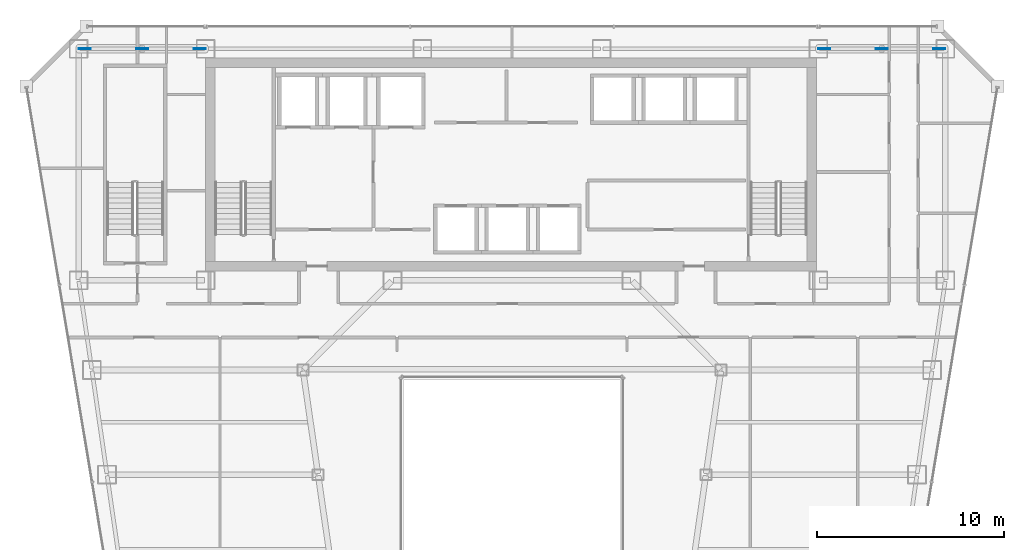
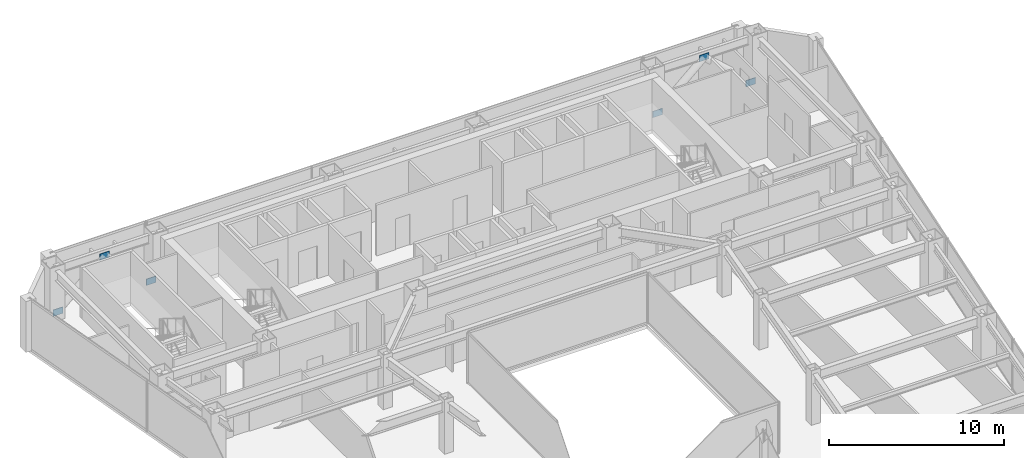
# One storey, part 30 of 36: 6 plates.
"""IFC4 building model written with IfcOpenShell, lengths in metres."""

from ifc_helpers import new_model, si_unit, direction, frame, origin, origin_2d, place, context, subcontext, project, spatial, rectangle, extrude, material, layer, layer_set, type_object, element, save


model = new_model("IFC4")

# Units and contexts
model_context = context("Model", 3, precision=1e-05, world=origin(), true_north=direction((0.0, 1.0)))
body_context = subcontext(model_context, "Body", "Model", "MODEL_VIEW")
ifc_project = project(units=[si_unit("LENGTHUNIT", "METRE"), si_unit("AREAUNIT", "SQUARE_METRE"), si_unit("VOLUMEUNIT", "CUBIC_METRE"), si_unit("PLANEANGLEUNIT", "RADIAN"), si_unit("MASSUNIT", "GRAM", prefix="KILO")], contexts=[model_context])

# Site, building, storey
site_placement = place(None, origin())
site = spatial("IfcSite", under=ifc_project, at=site_placement, CompositionType="ELEMENT")
building_placement = place(site_placement, origin())
building = spatial("IfcBuilding", under=site, at=building_placement, Name="Saevonmaru Cultural Tower", CompositionType="ELEMENT")
storey_placement = place(building_placement, frame((0.0, 0.0, 152.39990234375)))
storey = spatial("IfcBuildingStorey", under=building, at=storey_placement, Name="L33", CompositionType="ELEMENT", Elevation=152.39990234375)

# Plates
ifc_material = material(Name="Steel HSA600 (600 MPa)", Category="steel")
ifc_layer = layer(ifc_material, 0.0400390625, Name="Steel HSA600 (600 MPa)")
ifc_layer_set = layer_set([ifc_layer], Name="Steel HSA600 (600 MPa)")
plate_type = type_object("IfcPlateType", Name="PL-GUSSET-EXT", PredefinedType="USERDEFINED", material=ifc_layer_set)
for number, where, z_axis, x_axis, name in (
    (1, (10.199951171875, 54.800048828125, 2.85009765625), (0.0, 0.0, 1.0), (1.0, 0.0, 0.0), "L33 Perimeter Tube Gusset Plate"),
    (2, (7.1201171875, 54.800048828125, 0.02001953125), (0.0, 0.0, 1.0), (1.0, 0.0, 0.0), "L33 Perimeter Tube Gusset Plate"),
    (3, (13.280029296875, 54.800048828125, 0.02001953125), (0.0, 0.0, 1.0), (1.0, 0.0, 0.0), "L33 Perimeter Tube Gusset Plate"),
    (4, (49.800048828125, 54.800048828125, 2.85009765625), (0.0, 0.0, 1.0), (1.0, 0.0, 0.0), "L33 Perimeter Tube Gusset Plate"),
    (5, (46.719970703125, 54.800048828125, 0.02001953125), (0.0, 0.0, 1.0), (1.0, 0.0, 0.0), "L33 Perimeter Tube Gusset Plate"),
    (6, (52.8798828125, 54.800048828125, 0.02001953125), (0.0, 0.0, 1.0), (1.0, 0.0, 0.0), "L33 Perimeter Tube Gusset Plate"),
):
    element("IfcPlate", number, at=place(storey_placement, frame(where, z_axis=z_axis, x_axis=x_axis)), inside=storey, type_object=plate_type, Name=name, ObjectType="GUSSET_PLATE", PredefinedType="USERDEFINED", context=body_context, shape_type="SweptSolid", body=[
        extrude(rectangle(XDim=0.639892578125, YDim=0.0400390625, at=origin_2d()), origin(), (0.0, 0.0, 1.0), 0.43994140625),
    ])

save(model, "model.ifc")
